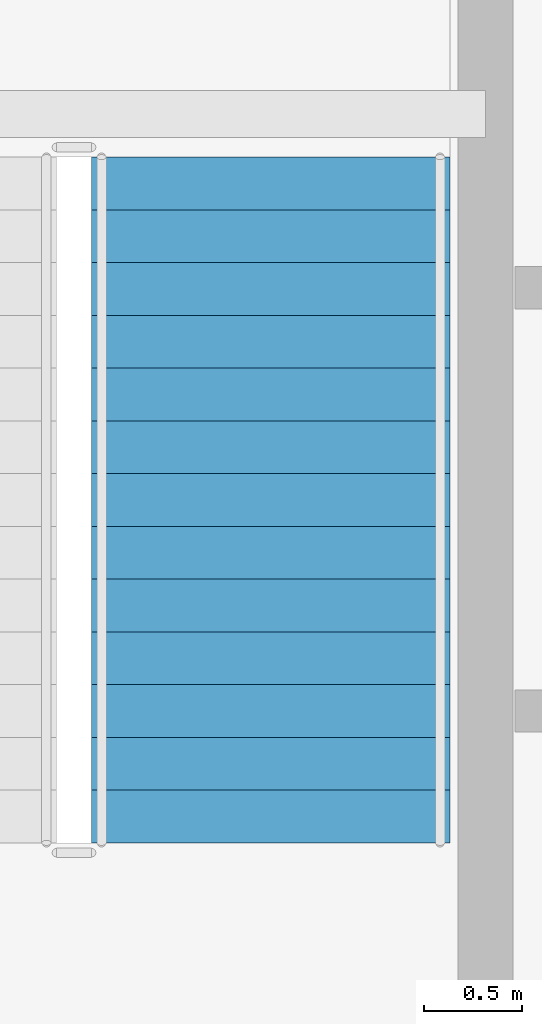
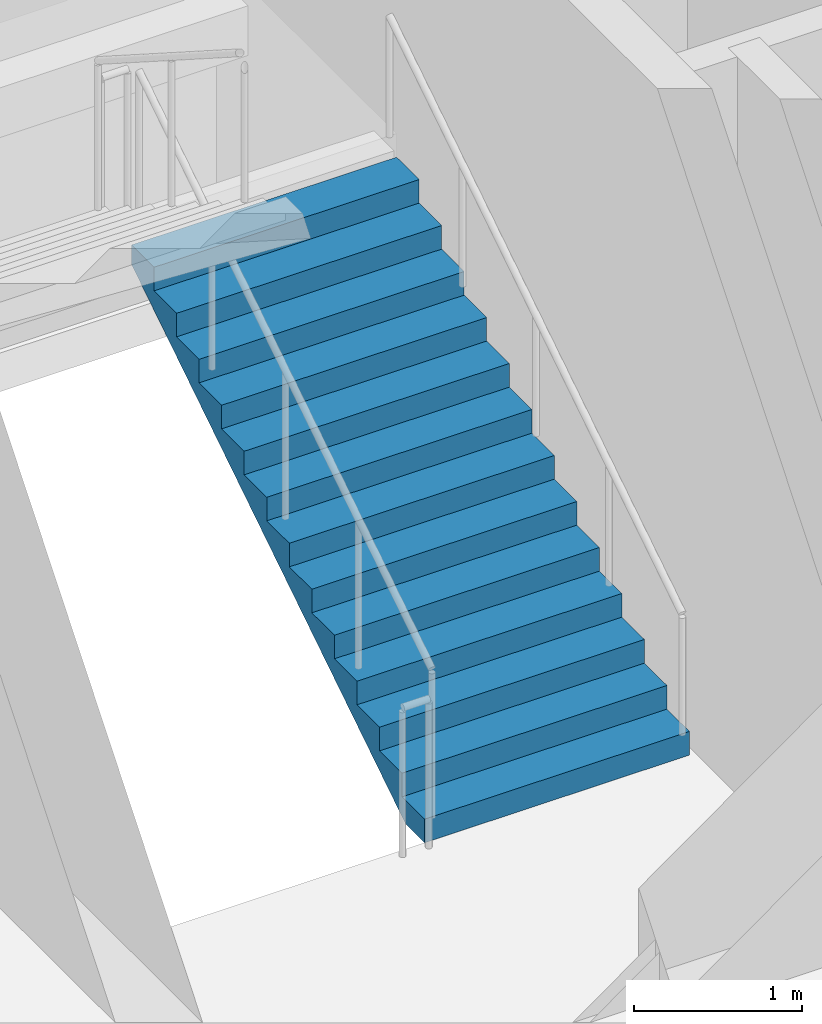
# One storey, part 54 of 63: 1 stair flight, 1 element without a shape of its own.
"""IFC4 building model written with IfcOpenShell, lengths in metres."""

import ifcopenshell
import ifcopenshell.guid

model = None  # the IFC model being written
_history = None  # IfcOwnerHistory: only IFC2X3 demands one
_inside = {}  # id of a spatial element -> (the spatial element, [elements in it])
_under = {}  # id of a project, library or spatial element -> (it, [spatial elements below it])
_declared = {}  # id of a project -> (the project, [libraries it declares])
_typed = {}  # id of a type object -> (the type object, [elements of that type])
_made_of = {}  # id of a material, layer set ... -> (it, [elements and type objects made of it])


def new_model(schema):
    """Start an empty IFC model of exactly this schema.

    Asked for "IFC4X3", IfcOpenShell would pick the latest addendum, in which some entities
    have other attributes; the version numbers below select the first issue.
    IFC2X3 requires an IfcOwnerHistory on every rooted entity: one is made here for all.
    """
    global model, _history
    if schema == "IFC4X3":
        model = ifcopenshell.file(schema_version=(4, 3, 0, 0))
    else:
        model = ifcopenshell.file(schema=schema)
    _inside.clear()
    _under.clear()
    _declared.clear()
    _typed.clear()
    _made_of.clear()
    _history = None
    if model.schema == "IFC2X3":
        org = make("IfcOrganization", Name="unknown")
        user = make(
            "IfcPersonAndOrganization",
            ThePerson=make("IfcPerson", FamilyName="unknown"),
            TheOrganization=org,
        )
        app = make(
            "IfcApplication",
            ApplicationDeveloper=org,
            Version="unknown",
            ApplicationFullName="unknown",
            ApplicationIdentifier="unknown",
        )
        _history = make(
            "IfcOwnerHistory",
            OwningUser=user,
            OwningApplication=app,
            ChangeAction="ADDED",
            CreationDate=0,
        )
    return model


def make(cls, **values):
    """One entity of the class cls with the attributes given. An attribute that is None is left unset."""
    return model.create_entity(
        cls, **{name: value for name, value in values.items() if value is not None}
    )


def rooted(cls, **values):
    """An entity with a GlobalId (a new one), such as an element, a storey or a relation."""
    return make(cls, GlobalId=ifcopenshell.guid.new(), OwnerHistory=_history, **values)


def si_unit(unit_type, name, prefix=None):
    """IfcSIUnit, for example si_unit("LENGTHUNIT", "METRE", prefix="MILLI")."""
    return make("IfcSIUnit", UnitType=unit_type, Prefix=prefix, Name=name)


def assignment(units):
    """IfcUnitAssignment: the units of a project."""
    return None if units is None else make("IfcUnitAssignment", Units=units)


def point(xyz):
    """IfcCartesianPoint."""
    return None if xyz is None else make("IfcCartesianPoint", Coordinates=xyz)


def direction(xyz):
    """IfcDirection."""
    return None if xyz is None else make("IfcDirection", DirectionRatios=xyz)


def frame(location, z_axis=None, x_axis=None):
    """IfcAxis2Placement3D, a coordinate frame: its origin and axes. An axis left out is left unset."""
    return make(
        "IfcAxis2Placement3D",
        Location=point(location),
        Axis=direction(z_axis),
        RefDirection=direction(x_axis),
    )


def origin():
    """The frame at (0, 0, 0) with its axes left unset."""
    return frame((0.0, 0.0, 0.0))


def place(relative_to, where):
    """IfcLocalPlacement: puts the frame where relative to a parent placement (None: the world)."""
    return make(
        "IfcLocalPlacement", PlacementRelTo=relative_to, RelativePlacement=where
    )


def context(
    kind, dimensions, precision=None, world=None, true_north=None, identifier=None
):
    """IfcGeometricRepresentationContext, for example the 3D "Model" context."""
    return make(
        "IfcGeometricRepresentationContext",
        ContextIdentifier=identifier,
        ContextType=kind,
        CoordinateSpaceDimension=dimensions,
        Precision=precision,
        WorldCoordinateSystem=world,
        TrueNorth=true_north,
    )


def subcontext(parent, identifier, kind, view, scale=None):
    """IfcGeometricRepresentationSubContext, for example "Body" below "Model"."""
    return make(
        "IfcGeometricRepresentationSubContext",
        ContextIdentifier=identifier,
        ContextType=kind,
        ParentContext=parent,
        TargetScale=scale,
        TargetView=view,
    )


def project(units=None, contexts=None):
    """IfcProject with its units and contexts."""
    return rooted(
        "IfcProject",
        Name="project",
        RepresentationContexts=contexts,
        UnitsInContext=assignment(units),
    )


def spatial(cls, under=None, at=None, **own):
    """A site, building, storey or space (cls), placed at a placement, below another one or the project."""
    s = rooted(cls, ObjectPlacement=at, **own)
    if under is not None:
        _under.setdefault(under.id(), (under, []))[1].append(s)
    return s


def polyline(points):
    """IfcPolyline through the points."""
    return make("IfcPolyline", Points=[point(p) for p in points])


def outline(outer, holes=None, kind="AREA"):
    """IfcArbitraryClosedProfileDef: a profile drawn as a closed curve; with holes, ...WithVoids."""
    if holes is None:
        return make("IfcArbitraryClosedProfileDef", ProfileType=kind, OuterCurve=outer)
    return make(
        "IfcArbitraryProfileDefWithVoids",
        ProfileType=kind,
        OuterCurve=outer,
        InnerCurves=holes,
    )


def extrude(swept, where, along, depth):
    """IfcExtrudedAreaSolid: the profile swept, set in the frame where, extruded along a direction by depth."""
    return make(
        "IfcExtrudedAreaSolid",
        SweptArea=swept,
        Position=where,
        ExtrudedDirection=direction(along),
        Depth=depth,
    )


def shape(context_of_items, identifier, shape_type, items):
    """IfcShapeRepresentation: the items that make up one representation, for example the "Body"."""
    return make(
        "IfcShapeRepresentation",
        ContextOfItems=context_of_items,
        RepresentationIdentifier=identifier,
        RepresentationType=shape_type,
        Items=items,
    )


def material(Name=None, Category=None):
    """IfcMaterial."""
    return make("IfcMaterial", Name=Name, Category=Category)


def made_of(thing, what):
    """Note that an element or type object is made of a material, layer set ...; save() writes the relation."""
    if what is not None:
        _made_of.setdefault(what.id(), (what, []))[1].append(thing)
    return thing


def type_object(cls, material=None, **own):
    """A type object (cls), such as IfcWallType, which elements share."""
    return made_of(rooted(cls, **own), material)


def element(
    cls,
    number,
    at=None,
    inside=None,
    cuts=None,
    type_object=None,
    material=None,
    context=None,
    identifier="Body",
    shape_type=None,
    held_by="IfcProductDefinitionShape",
    body=None,
    shapes=None,
    **own,
):
    """One element of the class cls, such as IfcWall. Its Tag is "e" and its number.

    at: its placement. inside: the storey or other place that contains it. cuts: it is an
    opening in that element (IfcRelVoidsElement). A single representation is given by context,
    identifier, shape_type and body (its items); several are given by shapes. held_by: the class
    of the entity that holds the representations. save() writes the other relations.
    """
    e = rooted(cls, Tag="e%d" % number, ObjectPlacement=at, **own)
    if body is not None:
        shapes = [shape(context, identifier, shape_type, body)]
    if shapes is not None:
        e.Representation = make(held_by, Representations=shapes)
    if inside is not None:
        _inside.setdefault(inside.id(), (inside, []))[1].append(e)
    if cuts is not None:
        rooted(
            "IfcRelVoidsElement", RelatingBuildingElement=cuts, RelatedOpeningElement=e
        )
    if type_object is not None:
        _typed.setdefault(type_object.id(), (type_object, []))[1].append(e)
    return made_of(e, material)


def aggregate(whole, parts):
    """IfcRelAggregates: a whole, such as a stair, and the parts it consists of."""
    return rooted("IfcRelAggregates", RelatingObject=whole, RelatedObjects=parts)


def save(model, path):
    """Write the relations noted so far, then the file.

    IfcRelAggregates (storeys below a building ...), IfcRelContainedInSpatialStructure (elements
    in a storey), IfcRelDefinesByType, IfcRelAssociatesMaterial and IfcRelDeclares: one each for
    every whole, place, type object, material and project.
    """
    for whole, parts in _under.values():
        aggregate(whole, parts)
    for where, things in _inside.values():
        rooted(
            "IfcRelContainedInSpatialStructure",
            RelatedElements=things,
            RelatingStructure=where,
        )
    for kind, things in _typed.values():
        rooted("IfcRelDefinesByType", RelatedObjects=things, RelatingType=kind)
    for what, things in _made_of.values():
        rooted("IfcRelAssociatesMaterial", RelatedObjects=things, RelatingMaterial=what)
    for by, libraries in _declared.values():
        rooted("IfcRelDeclares", RelatingContext=by, RelatedDefinitions=libraries)
    model.write(path)


model = new_model("IFC4")

# Units and contexts
model_context = context("Model", 3, precision=1e-05, world=origin(), true_north=direction((0.0, 1.0)))
body_context = subcontext(model_context, "Body", "Model", "MODEL_VIEW")
ifc_project = project(units=[si_unit("LENGTHUNIT", "METRE"), si_unit("AREAUNIT", "SQUARE_METRE"), si_unit("VOLUMEUNIT", "CUBIC_METRE"), si_unit("PLANEANGLEUNIT", "RADIAN"), si_unit("MASSUNIT", "GRAM", prefix="KILO")], contexts=[model_context])

# Site, building, storey
site_placement = place(None, origin())
site = spatial("IfcSite", under=ifc_project, at=site_placement, CompositionType="ELEMENT")
building_placement = place(site_placement, origin())
building = spatial("IfcBuilding", under=site, at=building_placement, Name="Canggui Botanical Conservatory", CompositionType="ELEMENT")
storey_placement = place(building_placement, frame((0.0, 0.0, 10.199951171875)))
storey = spatial("IfcBuildingStorey", under=building, at=storey_placement, Name="L03", CompositionType="ELEMENT", Elevation=10.199951171875)

# Stair, stair flight
ifc_material = material(Name="Concrete C35", Category="concrete")
stair_type = type_object("IfcStairType", Name="STR-TYPE-4", PredefinedType="HALF_TURN_STAIR", material=ifc_material)
stair_placement = place(storey_placement, origin())
stair = element("IfcStair", 1, at=stair_placement, inside=storey, type_object=stair_type, Name="L03 Tower North Smoke-Proof Stair ST-T2", PredefinedType="HALF_TURN_STAIR")
stair_flight_type = type_object("IfcStairFlightType", Name="SFL-TYPE-4", PredefinedType="STRAIGHT", material=ifc_material)
stair_flight_placement = place(storey_placement, frame((157.2099609375, 60.080078125, 0.0), z_axis=(0.0, 0.0, 1.0), x_axis=(0.0, 1.0, 0.0)))
stair_flight = element("IfcStairFlight", 2, at=stair_flight_placement, type_object=stair_flight_type, Name="ST-T2 flight 1", NumberOfRisers=14, NumberOfTreads=13, PredefinedType="STRAIGHT", RiserHeight=0.171428571, TreadLength=0.268, context=body_context, shape_type="SweptSolid", body=[
    extrude(outline(polyline([(0.0, 0.0), (0.0, 0.17138671875), (0.26806640625, 0.17138671875), (0.26806640625, 0.3427734375), (0.535888671875, 0.3427734375), (0.535888671875, 0.514404296875), (0.803955078125, 0.514404296875), (0.803955078125, 0.685791015625), (1.072021484375, 0.685791015625), (1.072021484375, 0.857177734375), (1.340087890625, 0.857177734375), (1.340087890625, 1.028564453125), (1.60791015625, 1.028564453125), (1.60791015625, 1.199951171875), (1.8759765625, 1.199951171875), (1.8759765625, 1.371337890625), (2.14404296875, 1.371337890625), (2.14404296875, 1.54296875), (2.412109375, 1.54296875), (2.412109375, 1.71435546875), (2.679931640625, 1.71435546875), (2.679931640625, 1.8857421875), (2.947998046875, 1.8857421875), (2.947998046875, 2.05712890625), (3.216064453125, 2.05712890625), (3.216064453125, 2.228515625), (3.48388671875, 2.228515625), (3.48388671875, 2.39990234375), (3.48388671875, 2.0859375), (0.222900390625, 0.0), (0.0, 0.0)])), frame((0.0, 0.91015625, 0.0), z_axis=(0.0, -1.0, 0.0), x_axis=(1.0, 0.0, 0.0)), (0.0, 0.0, 1.0), 1.820068359375),
])
aggregate(stair, [stair_flight])

save(model, "model.ifc")
